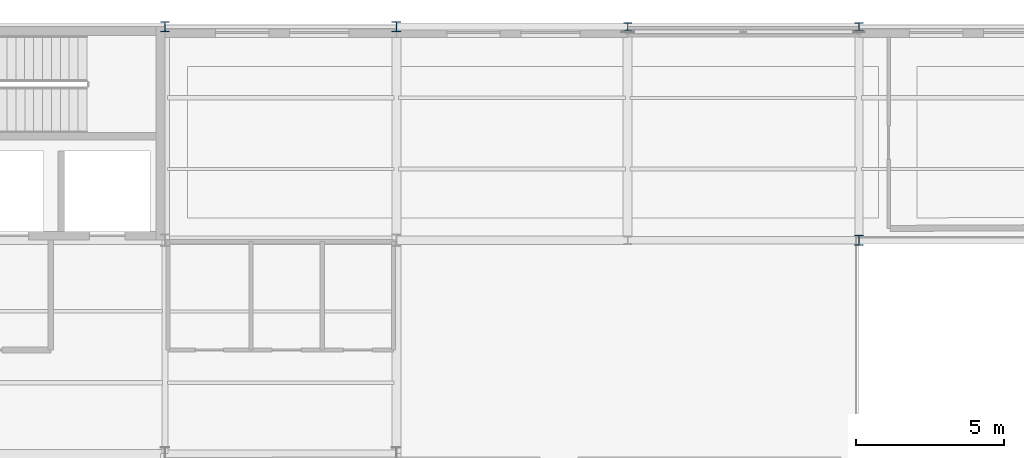
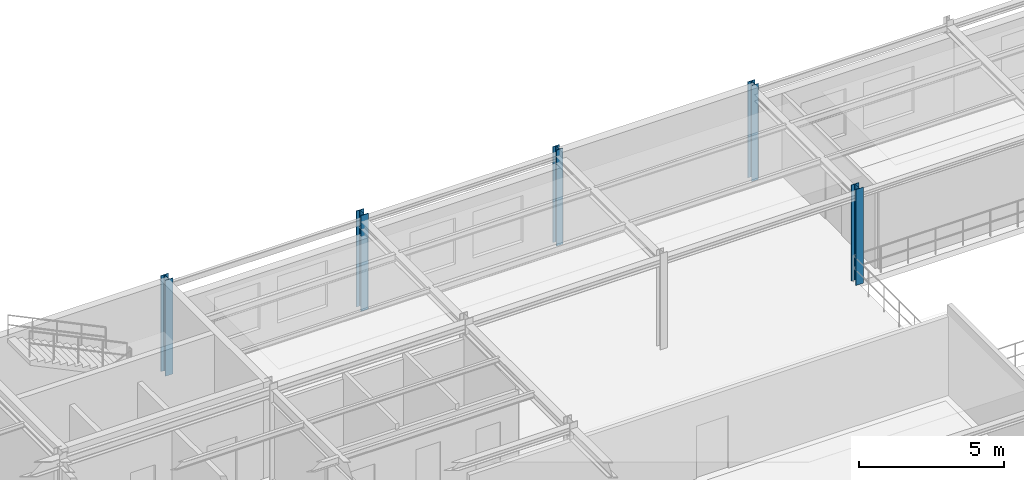
# One storey, part 12 of 58: 5 columns.
"""IFC4 building model written with IfcOpenShell, lengths in metres."""

from ifc_helpers import new_model, si_unit, derived_unit, direction, frame, origin, origin_2d, place, context, subcontext, project, spatial, i_section, extrude, material, material_profile, profile_set, type_object, element, save


model = new_model("IFC4")

# Units and contexts
model_context = context("Model", 3, precision=1e-05, world=origin(), true_north=direction((0.0, 1.0)))
body_context = subcontext(model_context, "Body", "Model", "MODEL_VIEW")
ifc_project = project(units=[si_unit("LENGTHUNIT", "METRE"), si_unit("AREAUNIT", "SQUARE_METRE"), si_unit("VOLUMEUNIT", "CUBIC_METRE"), si_unit("PLANEANGLEUNIT", "RADIAN"), si_unit("MASSUNIT", "GRAM", prefix="KILO"), derived_unit("THERMALTRANSMITTANCEUNIT", [(si_unit("POWERUNIT", "WATT"), 1), (si_unit("AREAUNIT", "SQUARE_METRE"), -1), (si_unit("THERMODYNAMICTEMPERATUREUNIT", "KELVIN"), -1)])], contexts=[model_context])

# Site, building, storey
site_placement = place(None, origin())
site = spatial("IfcSite", under=ifc_project, at=site_placement, CompositionType="ELEMENT")
building_placement = place(site_placement, origin())
building = spatial("IfcBuilding", under=site, at=building_placement, Name="Yasenodar Specialist Clinic", CompositionType="ELEMENT")
storey_placement = place(building_placement, frame((0.0, 0.0, 17.25)))
storey = spatial("IfcBuildingStorey", under=building, at=storey_placement, Name="L04", CompositionType="ELEMENT", Elevation=17.25)

# Columns
ifc_material = material(Name="Steel S355", Category="steel")
ifc_material_profile_1 = material_profile(ifc_material, i_section(OverallWidth=0.300048828125, OverallDepth=0.330078125, WebThickness=0.009521484375, FlangeThickness=0.0166015625, FilletRadius=0.027099609375, at=origin_2d()), Name="HEA 340")
ifc_profile_set_1 = profile_set([ifc_material_profile_1], Name="Steel S355")
column_type_1 = type_object("IfcColumnType", Name="COL-ST-HEA340", PredefinedType="COLUMN", material=ifc_profile_set_1)
column_1_placement = place(storey_placement, frame((88.800048828125, 104.39990234375, 0.0), z_axis=(0.0, 0.0, 1.0), x_axis=(1.0, 0.0, 0.0)))
element("IfcColumn", 1, at=column_1_placement, inside=storey, type_object=column_type_1, Name="L04 Column V5-109", PredefinedType="COLUMN", context=body_context, shape_type="SweptSolid", body=[
    extrude(i_section(OverallWidth=0.300048828125, OverallDepth=0.330078125, WebThickness=0.009521484375, FlangeThickness=0.0166015625, FilletRadius=0.027099609375, at=origin_2d()), origin(), (0.0, 0.0, 1.0), 4.050048828125),
])
ifc_material_profile_2 = material_profile(ifc_material, i_section(OverallWidth=0.260009765625, OverallDepth=0.260009765625, WebThickness=0.010009765625, FlangeThickness=0.017578125, FilletRadius=0.02392578125, at=origin_2d()), Name="HEB 260")
ifc_profile_set_2 = profile_set([ifc_material_profile_2], Name="Steel S355")
column_type_2 = type_object("IfcColumnType", Name="COL-ST-HEB260", PredefinedType="COLUMN", material=ifc_profile_set_2)
column_2_placement = place(storey_placement, frame((81.0, 111.60009765625, 0.0), z_axis=(0.0, 0.0, 1.0), x_axis=(1.0, 0.0, 0.0)))
element("IfcColumn", 2, at=column_2_placement, inside=storey, type_object=column_type_2, Name="L04 Column V5-106", PredefinedType="COLUMN", context=body_context, shape_type="SweptSolid", body=[
    extrude(i_section(OverallWidth=0.260009765625, OverallDepth=0.260009765625, WebThickness=0.010009765625, FlangeThickness=0.017578125, FilletRadius=0.02392578125, at=origin_2d()), origin(), (0.0, 0.0, 1.0), 4.050048828125),
])
ifc_material_profile_3 = material_profile(ifc_material, i_section(OverallWidth=0.280029296875, OverallDepth=0.280029296875, WebThickness=0.010498046875, FlangeThickness=0.01806640625, FilletRadius=0.02392578125, at=origin_2d()), Name="HEB 280")
ifc_profile_set_3 = profile_set([ifc_material_profile_3], Name="Steel S355")
column_type_3 = type_object("IfcColumnType", Name="COL-ST-HEB280", PredefinedType="COLUMN", material=ifc_profile_set_3)
column_3_placement = place(storey_placement, frame((88.800048828125, 111.60009765625, 0.0), z_axis=(0.0, 0.0, 1.0), x_axis=(1.0, 0.0, 0.0)))
element("IfcColumn", 3, at=column_3_placement, inside=storey, type_object=column_type_3, Name="L04 Column V5-110", PredefinedType="COLUMN", context=body_context, shape_type="SweptSolid", body=[
    extrude(i_section(OverallWidth=0.280029296875, OverallDepth=0.280029296875, WebThickness=0.010498046875, FlangeThickness=0.01806640625, FilletRadius=0.02392578125, at=origin_2d()), origin(), (0.0, 0.0, 1.0), 4.050048828125),
])
ifc_material_profile_4 = material_profile(ifc_material, i_section(OverallWidth=0.300048828125, OverallDepth=0.340087890625, WebThickness=0.011962890625, FlangeThickness=0.021484375, FilletRadius=0.027099609375, at=origin_2d()), Name="HEB 340")
ifc_profile_set_4 = profile_set([ifc_material_profile_4], Name="Steel S355")
column_type_4 = type_object("IfcColumnType", Name="COL-ST-HEB340", PredefinedType="COLUMN", material=ifc_profile_set_4)
for number, where, z_axis, x_axis, name in (
    (4, (65.39990234375, 111.60009765625, 0.0), (0.0, 0.0, 1.0), (1.0, 0.0, 0.0), "L04 Column V5-097"),
    (5, (73.199951171875, 111.60009765625, 0.0), (0.0, 0.0, 1.0), (1.0, 0.0, 0.0), "L04 Column V5-102"),
):
    element("IfcColumn", number, at=place(storey_placement, frame(where, z_axis=z_axis, x_axis=x_axis)), inside=storey, type_object=column_type_4, Name=name, PredefinedType="COLUMN", context=body_context, shape_type="SweptSolid", body=[
        extrude(i_section(OverallWidth=0.300048828125, OverallDepth=0.340087890625, WebThickness=0.011962890625, FlangeThickness=0.021484375, FilletRadius=0.027099609375, at=origin_2d()), origin(), (0.0, 0.0, 1.0), 4.050048828125),
    ])

save(model, "model.ifc")
